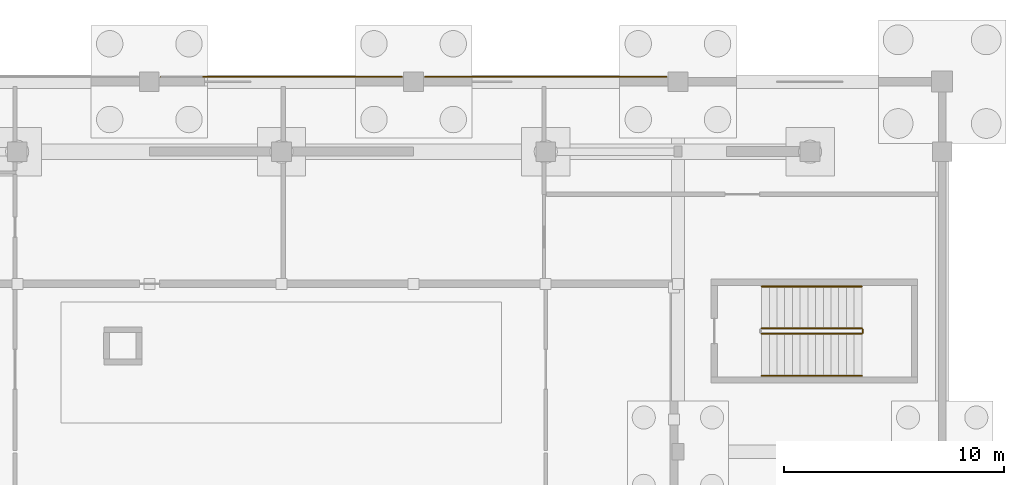
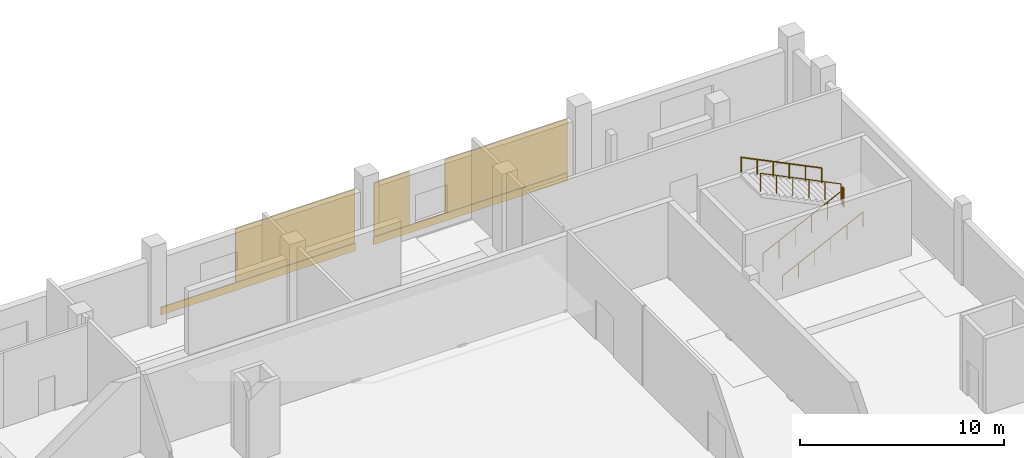
# One storey, part 76 of 82: 5 coverings, 5 railings.
"""IFC4 building model written with IfcOpenShell, lengths in metres."""

from ifc_helpers import new_model, si_unit, direction, frame, origin, origin_2d, place, context, subcontext, project, spatial, rectangle, circle, extrude, material, layer, layer_set, type_object, element, save


model = new_model("IFC4")

# Units and contexts
model_context = context("Model", 3, precision=1e-05, world=origin(), true_north=direction((0.0, 1.0)))
body_context = subcontext(model_context, "Body", "Model", "MODEL_VIEW")
ifc_project = project(units=[si_unit("LENGTHUNIT", "METRE"), si_unit("AREAUNIT", "SQUARE_METRE"), si_unit("VOLUMEUNIT", "CUBIC_METRE"), si_unit("PLANEANGLEUNIT", "RADIAN"), si_unit("MASSUNIT", "GRAM", prefix="KILO")], contexts=[model_context])

# Site, building, storey
site_placement = place(None, origin())
site = spatial("IfcSite", under=ifc_project, at=site_placement, CompositionType="ELEMENT")
building_placement = place(site_placement, origin())
building = spatial("IfcBuilding", under=site, at=building_placement, Name="Kelmvaro Bay Concert Hall", CompositionType="ELEMENT")
storey_placement = place(building_placement, origin())
storey = spatial("IfcBuildingStorey", under=building, at=storey_placement, Name="L00", CompositionType="ELEMENT", Elevation=0.0)

# Coverings
ifc_material_1 = material(Name="Honed Florida Limestone Travertine", Category="masonry")
ifc_layer = layer(ifc_material_1, 0.054931640625)
ifc_layer_set = layer_set([ifc_layer], Name="Honed Florida Limestone Travertine")
covering_type = type_object("IfcCoveringType", Name="Honed Florida Travertine Rainscreen Cladding 55", PredefinedType="CLADDING", material=ifc_layer_set)
covering_1_placement = place(storey_placement, frame((30.0, 114.2255859375, 0.0400390625), z_axis=(0.0, 0.0, 1.0), x_axis=(1.0, 0.0, 0.0)))
element("IfcCovering", 1, at=covering_1_placement, inside=storey, type_object=covering_type, Name="L00 Travertine Sill Band 0004", PredefinedType="CLADDING", context=body_context, shape_type="SweptSolid", body=[
    extrude(rectangle(XDim=10.97998046875, YDim=0.054931640625, at=origin_2d()), origin(), (0.0, 0.0, 1.0), 0.4599609375),
])
covering_2_placement = place(storey_placement, frame((32.089111328125, 114.2255859375, 0.52001953125), z_axis=(0.0, 0.0, 1.0), x_axis=(1.0, 0.0, 0.0)))
element("IfcCovering", 2, at=covering_2_placement, inside=storey, type_object=covering_type, Name="L00 Travertine Pier Panel 0006", PredefinedType="CLADDING", context=body_context, shape_type="SweptSolid", body=[
    extrude(rectangle(XDim=6.761962890625, YDim=0.054931640625, at=origin_2d()), origin(), (0.0, 0.0, 1.0), 3.20703125),
])
covering_3_placement = place(storey_placement, frame((42.0, 114.2255859375, 0.0400390625), z_axis=(0.0, 0.0, 1.0), x_axis=(1.0, 0.0, 0.0)))
element("IfcCovering", 3, at=covering_3_placement, inside=storey, type_object=covering_type, Name="L00 Travertine Sill Band 0007", PredefinedType="CLADDING", context=body_context, shape_type="SweptSolid", body=[
    extrude(rectangle(XDim=10.97998046875, YDim=0.054931640625, at=origin_2d()), origin(), (0.0, 0.0, 1.0), 0.4599609375),
])
covering_4_placement = place(storey_placement, frame((37.5439453125, 114.2255859375, 0.52001953125), z_axis=(0.0, 0.0, 1.0), x_axis=(1.0, 0.0, 0.0)))
element("IfcCovering", 4, at=covering_4_placement, inside=storey, type_object=covering_type, Name="L00 Travertine Pier Panel 0008", PredefinedType="CLADDING", context=body_context, shape_type="SweptSolid", body=[
    extrude(rectangle(XDim=2.028076171875, YDim=0.054931640625, at=origin_2d()), origin(), (0.0, 0.0, 1.0), 3.20703125),
])
covering_5_placement = place(storey_placement, frame((44.013916015625, 114.2255859375, 0.52001953125), z_axis=(0.0, 0.0, 1.0), x_axis=(1.0, 0.0, 0.0)))
element("IfcCovering", 5, at=covering_5_placement, inside=storey, type_object=covering_type, Name="L00 Travertine Pier Panel 0009", PredefinedType="CLADDING", context=body_context, shape_type="SweptSolid", body=[
    extrude(rectangle(XDim=6.912109375, YDim=0.054931640625, at=origin_2d()), origin(), (0.0, 0.0, 1.0), 3.20703125),
])

# Railings
ifc_material_2 = material(Name="Brushed Stainless Steel 316", Category="steel")
railing_type_1 = type_object("IfcRailingType", Name="Stair Stainless Wall Handrail 900", PredefinedType="HANDRAIL", material=ifc_material_2)
railing_1_placement = place(storey_placement, frame((51.800048828125, 100.64990234375, 0.17138671875)))
element("IfcRailing", 6, at=railing_1_placement, inside=storey, type_object=railing_type_1, Name="L00 ST-02 stair handrail 1", PredefinedType="HANDRAIL", context=body_context, shape_type="SweptSolid", body=[
    extrude(circle(Radius=0.02392578125, at=origin_2d()), frame((0.0, 0.0, 0.8759765625), z_axis=(0.89806892354, 0.0, 0.439854758495), x_axis=(0.0, 1.0, 0.0)), (0.0, 0.0, 1.0), 5.06640625),
    extrude(circle(Radius=0.02099609375, at=origin_2d()), origin(), (0.0, 0.0, 1.0), 0.851806640625),
    extrude(circle(Radius=0.02099609375, at=origin_2d()), frame((0.909912109375, 0.0, 0.44580078125)), (0.0, 0.0, 1.0), 0.851806640625),
    extrude(circle(Radius=0.02099609375, at=origin_2d()), frame((1.820068359375, 0.0, 0.891357421875)), (0.0, 0.0, 1.0), 0.851806640625),
    extrude(circle(Radius=0.02099609375, at=origin_2d()), frame((2.72998046875, 0.0, 1.337158203125)), (0.0, 0.0, 1.0), 0.851806640625),
    extrude(circle(Radius=0.02099609375, at=origin_2d()), frame((3.64013671875, 0.0, 1.78271484375)), (0.0, 0.0, 1.0), 0.851806640625),
    extrude(circle(Radius=0.02099609375, at=origin_2d()), frame((4.550048828125, 0.0, 2.228515625)), (0.0, 0.0, 1.0), 0.851806640625),
])
railing_2_placement = place(storey_placement, frame((56.35009765625, 104.699951171875, 2.571533203125)))
element("IfcRailing", 7, at=railing_2_placement, inside=storey, type_object=railing_type_1, Name="L00 ST-02 stair handrail 2", PredefinedType="HANDRAIL", context=body_context, shape_type="SweptSolid", body=[
    extrude(circle(Radius=0.02392578125, at=origin_2d()), frame((0.0, 0.0, 0.8759765625), z_axis=(-0.89806892354, 0.0, 0.439854758495), x_axis=(0.0, -1.0, 0.0)), (0.0, 0.0, 1.0), 5.06640625),
    extrude(circle(Radius=0.02099609375, at=origin_2d()), origin(), (0.0, 0.0, 1.0), 0.851806640625),
    extrude(circle(Radius=0.02099609375, at=origin_2d()), frame((-0.909912109375, 0.0, 0.44580078125)), (0.0, 0.0, 1.0), 0.851806640625),
    extrude(circle(Radius=0.02099609375, at=origin_2d()), frame((-1.820068359375, 0.0, 0.891357421875)), (0.0, 0.0, 1.0), 0.851806640625),
    extrude(circle(Radius=0.02099609375, at=origin_2d()), frame((-2.72998046875, 0.0, 1.337158203125)), (0.0, 0.0, 1.0), 0.851806640625),
    extrude(circle(Radius=0.02099609375, at=origin_2d()), frame((-3.64013671875, 0.0, 1.78271484375)), (0.0, 0.0, 1.0), 0.851806640625),
    extrude(circle(Radius=0.02099609375, at=origin_2d()), frame((-4.550048828125, 0.0, 2.228515625)), (0.0, 0.0, 1.0), 0.851806640625),
])
ifc_material_3 = material(Name="Powder-Coated Steel ASTM A500", Category="steel")
railing_type_2 = type_object("IfcRailingType", Name="Stair Well Painted Steel Guard 1100", PredefinedType="BALUSTRADE", material=ifc_material_3)
railing_3_placement = place(storey_placement, frame((51.800048828125, 102.550048828125, 0.17138671875)))
element("IfcRailing", 8, at=railing_3_placement, inside=storey, type_object=railing_type_2, Name="L00 ST-02 stair guard 1", PredefinedType="BALUSTRADE", context=body_context, shape_type="SweptSolid", body=[
    extrude(circle(Radius=0.02392578125, at=origin_2d()), frame((0.0, 0.0, 1.076171875), z_axis=(0.89806892354, 0.0, 0.439854758495), x_axis=(0.0, 1.0, 0.0)), (0.0, 0.0, 1.0), 5.06640625),
    extrude(circle(Radius=0.02099609375, at=origin_2d()), origin(), (0.0, 0.0, 1.0), 1.052001953125),
    extrude(circle(Radius=0.02099609375, at=origin_2d()), frame((0.909912109375, 0.0, 0.44580078125)), (0.0, 0.0, 1.0), 1.052001953125),
    extrude(circle(Radius=0.02099609375, at=origin_2d()), frame((1.820068359375, 0.0, 0.891357421875)), (0.0, 0.0, 1.0), 1.052001953125),
    extrude(circle(Radius=0.02099609375, at=origin_2d()), frame((2.72998046875, 0.0, 1.337158203125)), (0.0, 0.0, 1.0), 1.052001953125),
    extrude(circle(Radius=0.02099609375, at=origin_2d()), frame((3.64013671875, 0.0, 1.78271484375)), (0.0, 0.0, 1.0), 1.052001953125),
    extrude(circle(Radius=0.02099609375, at=origin_2d()), frame((4.550048828125, 0.0, 2.228515625)), (0.0, 0.0, 1.0), 1.052001953125),
])
railing_4_placement = place(storey_placement, frame((56.39990234375, 102.60009765625, 2.39990234375)))
element("IfcRailing", 9, at=railing_4_placement, inside=storey, type_object=railing_type_2, Name="L00 ST-02 stair guard 2", PredefinedType="BALUSTRADE", context=body_context, shape_type="SweptSolid", body=[
    extrude(circle(Radius=0.02392578125, at=origin_2d()), frame((0.0, 0.0, 1.076171875), z_axis=(0.0, 1.0, 0.0), x_axis=(-1.0, 0.0, 0.0)), (0.0, 0.0, 1.0), 0.14990234375),
    extrude(circle(Radius=0.02099609375, at=origin_2d()), origin(), (0.0, 0.0, 1.0), 1.052001953125),
    extrude(circle(Radius=0.02099609375, at=origin_2d()), frame((0.0, 0.14990234375, 0.0)), (0.0, 0.0, 1.0), 1.052001953125),
])
railing_5_placement = place(storey_placement, frame((56.35009765625, 102.800048828125, 2.571533203125)))
element("IfcRailing", 10, at=railing_5_placement, inside=storey, type_object=railing_type_2, Name="L00 ST-02 stair guard 3", PredefinedType="BALUSTRADE", context=body_context, shape_type="SweptSolid", body=[
    extrude(circle(Radius=0.02392578125, at=origin_2d()), frame((0.0, 0.0, 1.076171875), z_axis=(-0.89806892354, 0.0, 0.439854758495), x_axis=(0.0, -1.0, 0.0)), (0.0, 0.0, 1.0), 5.06640625),
    extrude(circle(Radius=0.02099609375, at=origin_2d()), origin(), (0.0, 0.0, 1.0), 1.052001953125),
    extrude(circle(Radius=0.02099609375, at=origin_2d()), frame((-0.909912109375, 0.0, 0.44580078125)), (0.0, 0.0, 1.0), 1.052001953125),
    extrude(circle(Radius=0.02099609375, at=origin_2d()), frame((-1.820068359375, 0.0, 0.891357421875)), (0.0, 0.0, 1.0), 1.052001953125),
    extrude(circle(Radius=0.02099609375, at=origin_2d()), frame((-2.72998046875, 0.0, 1.337158203125)), (0.0, 0.0, 1.0), 1.052001953125),
    extrude(circle(Radius=0.02099609375, at=origin_2d()), frame((-3.64013671875, 0.0, 1.78271484375)), (0.0, 0.0, 1.0), 1.052001953125),
    extrude(circle(Radius=0.02099609375, at=origin_2d()), frame((-4.550048828125, 0.0, 2.228515625)), (0.0, 0.0, 1.0), 1.052001953125),
])

save(model, "model.ifc")
